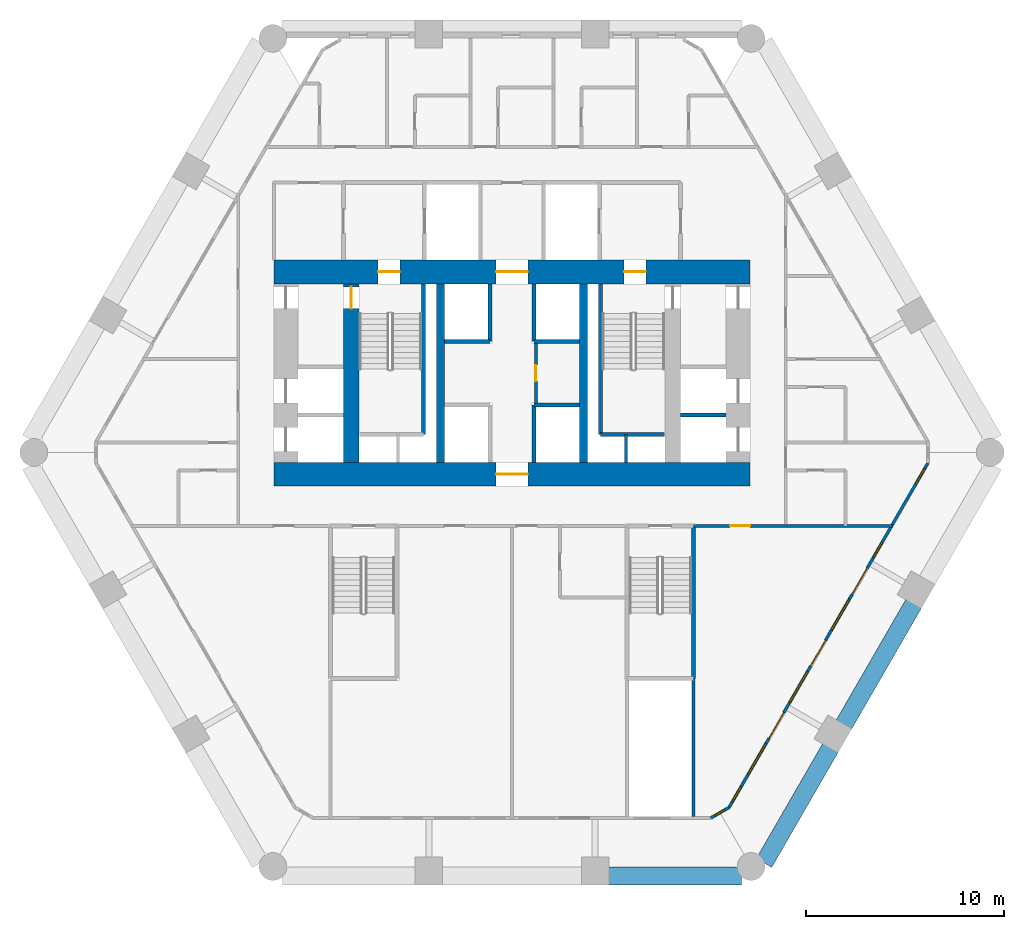
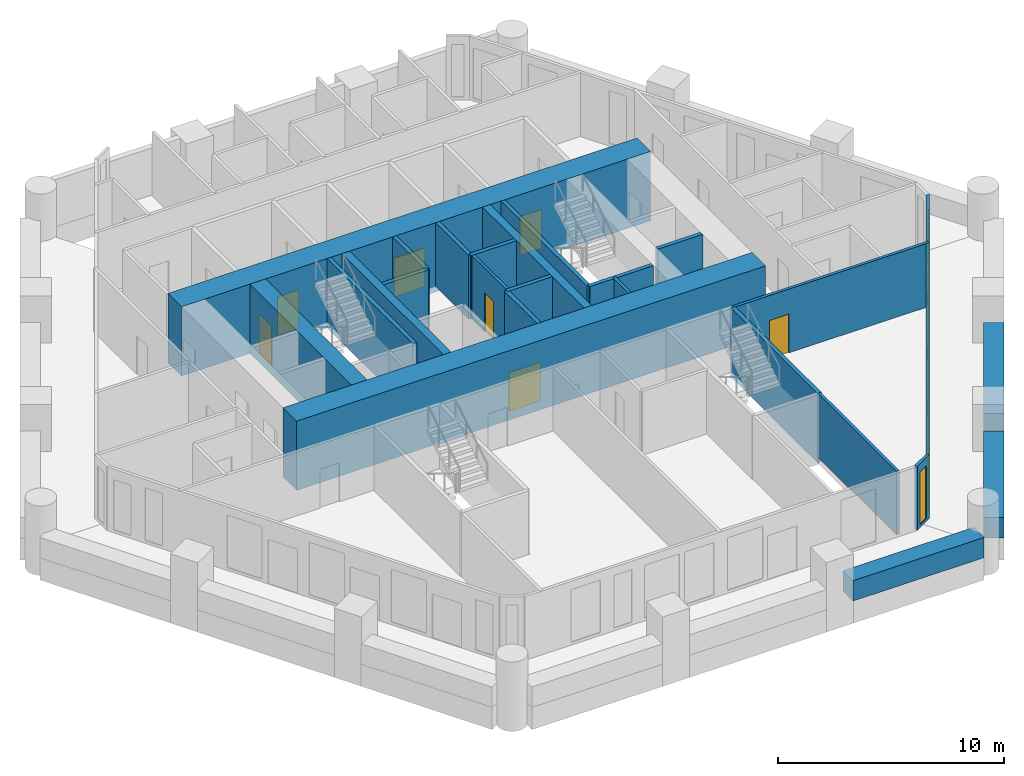
# One storey, part 4 of 8: 25 walls, 10 doors, 7 windows, 17 openings.
"""IFC4 building model written with IfcOpenShell, lengths in metres."""

from ifc_helpers import new_model, si_unit, direction, frame, frame_2d, origin, place, context, subcontext, project, spatial, rectangle, extrude, material, layer, layer_set, type_object, element, fill, save


model = new_model("IFC4")

# Units and contexts
model_context = context("Model", 3, precision=1e-05, world=origin(), true_north=direction((0.0, 1.0)))
body_context = subcontext(model_context, "Body", "Model", "MODEL_VIEW")
ifc_project = project(units=[si_unit("LENGTHUNIT", "METRE"), si_unit("AREAUNIT", "SQUARE_METRE"), si_unit("VOLUMEUNIT", "CUBIC_METRE"), si_unit("PLANEANGLEUNIT", "RADIAN"), si_unit("MASSUNIT", "GRAM", prefix="KILO")], contexts=[model_context])

# Site, building, storey
site_placement = place(None, origin())
site = spatial("IfcSite", under=ifc_project, at=site_placement, CompositionType="ELEMENT")
building_placement = place(site_placement, origin())
building = spatial("IfcBuilding", under=site, at=building_placement, Name="Ostrander Bayou Hotel Tower", CompositionType="ELEMENT")
storey_placement = place(building_placement, frame((0.0, 0.0, 31.75)))
storey = spatial("IfcBuildingStorey", under=building, at=storey_placement, Name="L07", CompositionType="ELEMENT", Elevation=31.75)

# Wall, opening, door
ifc_material_1 = material(Name="Concrete f'c 70 MPa", Category="concrete")
ifc_layer_1 = layer(ifc_material_1, 1.199951171875)
ifc_layer_set_1 = layer_set([ifc_layer_1], Name="CW1 core wall 1200 mm f'c 70 MPa")
wall_type_1 = type_object("IfcWallType", Name="CW1 core wall 1200 mm f'c 70 MPa", PredefinedType="SHEAR", material=ifc_layer_set_1)
wall_1_placement = place(storey_placement, frame((-12.0, -1.10009765625, -0.300048828125), z_axis=(0.0, 0.0, 1.0), x_axis=(1.0, 0.0, 0.0)))
wall_1 = element("IfcWall", 1, at=wall_1_placement, inside=storey, type_object=wall_type_1, Name="CW1 L07 S", PredefinedType="SHEAR", context=body_context, shape_type="SweptSolid", body=[
    extrude(rectangle(XDim=24.0, YDim=1.199951171875, at=frame_2d((12.0, 0.0))), origin(), (0.0, 0.0, 1.0), 3.75),
])
opening_1_placement = place(wall_1_placement, frame((11.199951171875, 0.0, 0.0)))
opening_1 = element("IfcOpeningElement", 2, at=opening_1_placement, cuts=wall_1, Name="Opening T06-001", PredefinedType="OPENING", context=body_context, shape_type="SweptSolid", body=[
    extrude(rectangle(XDim=1.60009765625, YDim=2.10009765625, at=frame_2d((0.800048828125, 1.050048828125))), frame((0.0, 0.60009765625, 0.0), z_axis=(0.0, -1.0, 0.0), x_axis=(1.0, 0.0, 0.0)), (0.0, 0.0, 1.0), 1.199951171875),
])
ifc_material_2 = material(Name="Timber door leaf", Category="wood")
door_type_1 = type_object("IfcDoorType", Name="D13 double door 1600 x 2100 mm, 1 hour", OperationType="SINGLE_SWING_LEFT", PredefinedType="DOOR", material=ifc_material_2)
door_1_placement = place(opening_1_placement, origin())
door_1 = element("IfcDoor", 3, at=door_1_placement, inside=storey, type_object=door_type_1, Name="dr:L07:001", OperationType="DOUBLE_DOOR_SINGLE_SWING", OverallHeight=2.10009765625, OverallWidth=1.60009765625, PredefinedType="DOOR", context=body_context, shape_type="SweptSolid", body=[
    extrude(rectangle(XDim=1.60009765625, YDim=2.10009765625, at=frame_2d((0.800048828125, 1.050048828125))), frame((0.0, 0.02490234375, 0.0), z_axis=(0.0, -1.0, 0.0), x_axis=(1.0, 0.0, 0.0)), (0.0, 0.0, 1.0), 0.050048828125),
])
fill(opening_1, door_1)

# Wall, openings, doors
wall_2_placement = place(storey_placement, frame((-12.0, 9.10009765625, -0.300048828125), z_axis=(0.0, 0.0, 1.0), x_axis=(1.0, 0.0, 0.0)))
wall_2 = element("IfcWall", 4, at=wall_2_placement, inside=storey, type_object=wall_type_1, Name="CW1 L07 N", PredefinedType="SHEAR", context=body_context, shape_type="SweptSolid", body=[
    extrude(rectangle(XDim=24.0, YDim=1.199951171875, at=frame_2d((12.0, 0.0))), origin(), (0.0, 0.0, 1.0), 3.75),
])
opening_2_placement = place(wall_2_placement, frame((11.199951171875, 0.0, 0.0)))
opening_2 = element("IfcOpeningElement", 5, at=opening_2_placement, cuts=wall_2, Name="Opening T06-002", PredefinedType="OPENING", context=body_context, shape_type="SweptSolid", body=[
    extrude(rectangle(XDim=1.60009765625, YDim=2.10009765625, at=frame_2d((0.800048828125, 1.050048828125))), frame((0.0, 0.60009765625, 0.0), z_axis=(0.0, -1.0, 0.0), x_axis=(1.0, 0.0, 0.0)), (0.0, 0.0, 1.0), 1.199951171875),
])
opening_3_placement = place(wall_2_placement, frame((5.25, 0.0, 0.0)))
opening_3 = element("IfcOpeningElement", 6, at=opening_3_placement, cuts=wall_2, Name="Opening T06-003", PredefinedType="OPENING", context=body_context, shape_type="SweptSolid", body=[
    extrude(rectangle(XDim=1.10009765625, YDim=2.10009765625, at=frame_2d((0.550048828125, 1.050048828125))), frame((0.0, 0.60009765625, 0.0), z_axis=(0.0, -1.0, 0.0), x_axis=(1.0, 0.0, 0.0)), (0.0, 0.0, 1.0), 1.199951171875),
])
opening_4_placement = place(wall_2_placement, frame((17.64990234375, 0.0, 0.0)))
opening_4 = element("IfcOpeningElement", 7, at=opening_4_placement, cuts=wall_2, Name="Opening T06-005", PredefinedType="OPENING", context=body_context, shape_type="SweptSolid", body=[
    extrude(rectangle(XDim=1.10009765625, YDim=2.10009765625, at=frame_2d((0.550048828125, 1.050048828125))), frame((0.0, 0.60009765625, 0.0), z_axis=(0.0, -1.0, 0.0), x_axis=(1.0, 0.0, 0.0)), (0.0, 0.0, 1.0), 1.199951171875),
])
door_2_placement = place(opening_2_placement, origin())
door_2 = element("IfcDoor", 8, at=door_2_placement, inside=storey, type_object=door_type_1, Name="dr:L07:002", OperationType="DOUBLE_DOOR_SINGLE_SWING", OverallHeight=2.10009765625, OverallWidth=1.60009765625, PredefinedType="DOOR", context=body_context, shape_type="SweptSolid", body=[
    extrude(rectangle(XDim=1.60009765625, YDim=2.10009765625, at=frame_2d((0.800048828125, 1.050048828125))), frame((0.0, 0.02490234375, 0.0), z_axis=(0.0, -1.0, 0.0), x_axis=(1.0, 0.0, 0.0)), (0.0, 0.0, 1.0), 0.050048828125),
])
fill(opening_2, door_2)
ifc_material_3 = material(Name="Timber door leaf", Category="wood")
door_type_2 = type_object("IfcDoorType", Name="D5 stair door 1100 x 2100 mm, 90 minute", OperationType="SINGLE_SWING_LEFT", PredefinedType="DOOR", material=ifc_material_3)
door_3_placement = place(opening_3_placement, origin())
door_3 = element("IfcDoor", 9, at=door_3_placement, inside=storey, type_object=door_type_2, Name="dr:L07:003", OperationType="SINGLE_SWING_LEFT", OverallHeight=2.10009765625, OverallWidth=1.10009765625, PredefinedType="DOOR", context=body_context, shape_type="SweptSolid", body=[
    extrude(rectangle(XDim=1.10009765625, YDim=2.10009765625, at=frame_2d((0.550048828125, 1.050048828125))), frame((0.0, 0.02490234375, 0.0), z_axis=(0.0, -1.0, 0.0), x_axis=(1.0, 0.0, 0.0)), (0.0, 0.0, 1.0), 0.050048828125),
])
fill(opening_3, door_3)
door_4_placement = place(opening_4_placement, origin())
door_4 = element("IfcDoor", 10, at=door_4_placement, inside=storey, type_object=door_type_2, Name="dr:L07:005", OperationType="SINGLE_SWING_RIGHT", OverallHeight=2.10009765625, OverallWidth=1.10009765625, PredefinedType="DOOR", context=body_context, shape_type="SweptSolid", body=[
    extrude(rectangle(XDim=1.10009765625, YDim=2.10009765625, at=frame_2d((0.550048828125, 1.050048828125))), frame((0.0, 0.02490234375, 0.0), z_axis=(0.0, -1.0, 0.0), x_axis=(1.0, 0.0, 0.0)), (0.0, 0.0, 1.0), 0.050048828125),
])
fill(opening_4, door_4)

# Wall, opening, door
ifc_material_4 = material(Name="Concrete f'c 70 MPa", Category="concrete")
ifc_layer_2 = layer(ifc_material_4, 0.800048828125)
ifc_layer_set_2 = layer_set([ifc_layer_2], Name="CW2 core spine wall 800 mm f'c 70 MPa")
wall_type_2 = type_object("IfcWallType", Name="CW2 core spine wall 800 mm f'c 70 MPa", PredefinedType="SHEAR", material=ifc_layer_set_2)
wall_3_placement = place(storey_placement, frame((-8.10009765625, -0.5, -0.300048828125), z_axis=(0.0, 0.0, 1.0), x_axis=(0.0, 1.0, 0.0)))
wall_3 = element("IfcWall", 11, at=wall_3_placement, inside=storey, type_object=wall_type_2, Name="CW2 L07 W", PredefinedType="SHEAR", context=body_context, shape_type="SweptSolid", body=[
    extrude(rectangle(XDim=9.0, YDim=0.800048828125, at=frame_2d((4.5, 0.0))), origin(), (0.0, 0.0, 1.0), 3.75),
])
opening_5_placement = place(wall_3_placement, frame((7.75, 0.0, 0.0)))
opening_5 = element("IfcOpeningElement", 12, at=opening_5_placement, cuts=wall_3, Name="Opening T06-004", PredefinedType="OPENING", context=body_context, shape_type="SweptSolid", body=[
    extrude(rectangle(XDim=1.10009765625, YDim=2.10009765625, at=frame_2d((0.550048828125, 1.050048828125))), frame((0.0, 0.39990234375, 0.0), z_axis=(0.0, -1.0, 0.0), x_axis=(1.0, 0.0, 0.0)), (0.0, 0.0, 1.0), 0.800048828125),
])
door_5_placement = place(opening_5_placement, origin())
door_5 = element("IfcDoor", 13, at=door_5_placement, inside=storey, type_object=door_type_2, Name="dr:L07:004", OperationType="SINGLE_SWING_RIGHT", OverallHeight=2.10009765625, OverallWidth=1.10009765625, PredefinedType="DOOR", context=body_context, shape_type="SweptSolid", body=[
    extrude(rectangle(XDim=1.10009765625, YDim=2.10009765625, at=frame_2d((0.550048828125, 1.050048828125))), frame((0.0, 0.02490234375, 0.0), z_axis=(0.0, -1.0, 0.0), x_axis=(1.0, 0.0, 0.0)), (0.0, 0.0, 1.0), 0.050048828125),
])
fill(opening_5, door_5)

# Walls
ifc_material_5 = material(Name="Concrete f'c 70 MPa", Category="concrete")
ifc_layer_3 = layer(ifc_material_5, 0.39990234375)
ifc_layer_set_3 = layer_set([ifc_layer_3], Name="CW3 core bank wall 400 mm f'c 70 MPa")
wall_type_3 = type_object("IfcWallType", Name="CW3 core bank wall 400 mm f'c 70 MPa", PredefinedType="SHEAR", material=ifc_layer_set_3)
for number, where, z_axis, x_axis, name in (
    (14, (-3.60009765625, -0.5, -0.300048828125), (0.0, 0.0, 1.0), (0.0, 1.0, 0.0), "CW3 L07 CW"),
    (15, (3.60009765625, -0.5, -0.300048828125), (0.0, 0.0, 1.0), (0.0, 1.0, 0.0), "CW3 L07 CE"),
):
    element("IfcWall", number, at=place(storey_placement, frame(where, z_axis=z_axis, x_axis=x_axis)), inside=storey, type_object=wall_type_3, Name=name, PredefinedType="SHEAR", context=body_context, shape_type="SweptSolid", body=[
        extrude(rectangle(XDim=9.0, YDim=0.39990234375, at=frame_2d((4.5, 0.0))), origin(), (0.0, 0.0, 1.0), 3.75),
    ])

# Wall, openings, doors, windows
ifc_material_6 = material(Name="Aluminium framed insulated wall", Category="aluminium")
ifc_layer_4 = layer(ifc_material_6, 0.14990234375)
ifc_layer_set_4 = layer_set([ifc_layer_4], Name="GW1 glass-line wall 150 mm")
wall_type_4 = type_object("IfcWallType", Name="GW1 glass-line wall 150 mm", PredefinedType="SOLIDWALL", material=ifc_layer_set_4)
wall_4_placement = place(storey_placement, frame((10.945068359375, -17.892578125, 0.0), z_axis=(0.0, 0.0, 1.0), x_axis=(0.500003237297, 0.866023534722, 0.0)))
wall_4 = element("IfcWall", 16, at=wall_4_placement, inside=storey, type_object=wall_type_4, Name="GW1 L07 SE 1", PredefinedType="SOLIDWALL", context=body_context, shape_type="SweptSolid", body=[
    extrude(rectangle(XDim=20.045654296875, YDim=0.14990234375, at=frame_2d((10.02294921875, 0.0))), origin(), (0.0, 0.0, 1.0), 3.449951171875),
])
opening_6_placement = place(wall_4_placement, frame((1.9228515625, 0.0, 0.14990234375)))
opening_6 = element("IfcOpeningElement", 17, at=opening_6_placement, cuts=wall_4, Name="Opening W1", PredefinedType="OPENING", context=body_context, shape_type="SweptSolid", body=[
    extrude(rectangle(XDim=1.800048828125, YDim=2.85009765625, at=frame_2d((0.89990234375, 1.425048828125))), frame((0.0, 0.074951171875, 0.0), z_axis=(0.0, -1.0, 0.0), x_axis=(1.0, 0.0, 0.0)), (0.0, 0.0, 1.0), 0.14990234375),
])
opening_7_placement = place(wall_4_placement, frame((4.022705078125, 0.0, 0.0)))
opening_7 = element("IfcOpeningElement", 18, at=opening_7_placement, cuts=wall_4, Name="Opening T06-805", PredefinedType="OPENING", context=body_context, shape_type="SweptSolid", body=[
    extrude(rectangle(XDim=1.5, YDim=2.39990234375, at=frame_2d((0.75, 1.199951171875))), frame((0.0, 0.074951171875, 0.0), z_axis=(0.0, -1.0, 0.0), x_axis=(1.0, 0.0, 0.0)), (0.0, 0.0, 1.0), 0.14990234375),
])
opening_8_placement = place(wall_4_placement, frame((6.122802734375, 0.0, 0.14990234375)))
opening_8 = element("IfcOpeningElement", 19, at=opening_8_placement, cuts=wall_4, Name="Opening W1", PredefinedType="OPENING", context=body_context, shape_type="SweptSolid", body=[
    extrude(rectangle(XDim=1.800048828125, YDim=2.85009765625, at=frame_2d((0.89990234375, 1.425048828125))), frame((0.0, 0.074951171875, 0.0), z_axis=(0.0, -1.0, 0.0), x_axis=(1.0, 0.0, 0.0)), (0.0, 0.0, 1.0), 0.14990234375),
])
opening_9_placement = place(wall_4_placement, frame((8.222900390625, 0.0, 0.0)))
opening_9 = element("IfcOpeningElement", 20, at=opening_9_placement, cuts=wall_4, Name="Opening T06-806", PredefinedType="OPENING", context=body_context, shape_type="SweptSolid", body=[
    extrude(rectangle(XDim=1.5, YDim=2.39990234375, at=frame_2d((0.75, 1.199951171875))), frame((0.0, 0.074951171875, 0.0), z_axis=(0.0, -1.0, 0.0), x_axis=(1.0, 0.0, 0.0)), (0.0, 0.0, 1.0), 0.14990234375),
])
opening_10_placement = place(wall_4_placement, frame((10.32275390625, 0.0, 0.14990234375)))
opening_10 = element("IfcOpeningElement", 21, at=opening_10_placement, cuts=wall_4, Name="Opening W1", PredefinedType="OPENING", context=body_context, shape_type="SweptSolid", body=[
    extrude(rectangle(XDim=1.800048828125, YDim=2.85009765625, at=frame_2d((0.89990234375, 1.425048828125))), frame((0.0, 0.074951171875, 0.0), z_axis=(0.0, -1.0, 0.0), x_axis=(1.0, 0.0, 0.0)), (0.0, 0.0, 1.0), 0.14990234375),
])
opening_11_placement = place(wall_4_placement, frame((12.4228515625, 0.0, 0.0)))
opening_11 = element("IfcOpeningElement", 22, at=opening_11_placement, cuts=wall_4, Name="Opening T06-807", PredefinedType="OPENING", context=body_context, shape_type="SweptSolid", body=[
    extrude(rectangle(XDim=1.5, YDim=2.39990234375, at=frame_2d((0.75, 1.199951171875))), frame((0.0, 0.074951171875, 0.0), z_axis=(0.0, -1.0, 0.0), x_axis=(1.0, 0.0, 0.0)), (0.0, 0.0, 1.0), 0.14990234375),
])
opening_12_placement = place(wall_4_placement, frame((14.522705078125, 0.0, 0.14990234375)))
opening_12 = element("IfcOpeningElement", 23, at=opening_12_placement, cuts=wall_4, Name="Opening W15", PredefinedType="OPENING", context=body_context, shape_type="SweptSolid", body=[
    extrude(rectangle(XDim=0.89990234375, YDim=2.85009765625, at=frame_2d((0.449951171875, 1.425048828125))), frame((0.0, 0.074951171875, 0.0), z_axis=(0.0, -1.0, 0.0), x_axis=(1.0, 0.0, 0.0)), (0.0, 0.0, 1.0), 0.14990234375),
])
opening_13_placement = place(wall_4_placement, frame((0.311279296875, 0.0, 0.14990234375)))
opening_13 = element("IfcOpeningElement", 24, at=opening_13_placement, cuts=wall_4, Name="Opening W15", PredefinedType="OPENING", context=body_context, shape_type="SweptSolid", body=[
    extrude(rectangle(XDim=0.89990234375, YDim=2.72998046875, at=frame_2d((0.449951171875, 1.364990234375))), frame((0.0, 0.074951171875, 0.0), z_axis=(0.0, -1.0, 0.0), x_axis=(1.0, 0.0, 0.0)), (0.0, 0.0, 1.0), 0.14990234375),
])
opening_14_placement = place(wall_4_placement, frame((18.834228515625, 0.0, 0.14990234375)))
opening_14 = element("IfcOpeningElement", 25, at=opening_14_placement, cuts=wall_4, Name="Opening W15", PredefinedType="OPENING", context=body_context, shape_type="SweptSolid", body=[
    extrude(rectangle(XDim=0.89990234375, YDim=2.72998046875, at=frame_2d((0.449951171875, 1.364990234375))), frame((0.0, 0.074951171875, 0.0), z_axis=(0.0, -1.0, 0.0), x_axis=(1.0, 0.0, 0.0)), (0.0, 0.0, 1.0), 0.14990234375),
])
ifc_material_7 = material(Name="Aluminium and clear glass", Category="aluminium")
door_type_3 = type_object("IfcDoorType", Name="SD1 sliding glass door 1500 mm, zone 1", OperationType="SLIDING_TO_LEFT", PredefinedType="DOOR", material=ifc_material_7)
door_6_placement = place(opening_7_placement, origin())
door_6 = element("IfcDoor", 26, at=door_6_placement, inside=storey, type_object=door_type_3, Name="SD1 L07 SE 1", OperationType="SLIDING_TO_LEFT", OverallHeight=2.39990234375, OverallWidth=1.5, PredefinedType="DOOR", context=body_context, shape_type="SweptSolid", body=[
    extrude(rectangle(XDim=1.5, YDim=2.39990234375, at=frame_2d((0.75, 1.199951171875))), frame((0.0, 0.02490234375, 0.0), z_axis=(0.0, -1.0, 0.0), x_axis=(1.0, 0.0, 0.0)), (0.0, 0.0, 1.0), 0.050048828125),
])
fill(opening_7, door_6)
door_7_placement = place(opening_9_placement, origin())
door_7 = element("IfcDoor", 27, at=door_7_placement, inside=storey, type_object=door_type_3, Name="SD1 L07 SE 2", OperationType="SLIDING_TO_RIGHT", OverallHeight=2.39990234375, OverallWidth=1.5, PredefinedType="DOOR", context=body_context, shape_type="SweptSolid", body=[
    extrude(rectangle(XDim=1.5, YDim=2.39990234375, at=frame_2d((0.75, 1.199951171875))), frame((0.0, 0.02490234375, 0.0), z_axis=(0.0, -1.0, 0.0), x_axis=(1.0, 0.0, 0.0)), (0.0, 0.0, 1.0), 0.050048828125),
])
fill(opening_9, door_7)
door_8_placement = place(opening_11_placement, origin())
door_8 = element("IfcDoor", 28, at=door_8_placement, inside=storey, type_object=door_type_3, Name="SD1 L07 SE 3", OperationType="SLIDING_TO_LEFT", OverallHeight=2.39990234375, OverallWidth=1.5, PredefinedType="DOOR", context=body_context, shape_type="SweptSolid", body=[
    extrude(rectangle(XDim=1.5, YDim=2.39990234375, at=frame_2d((0.75, 1.199951171875))), frame((0.0, 0.02490234375, 0.0), z_axis=(0.0, -1.0, 0.0), x_axis=(1.0, 0.0, 0.0)), (0.0, 0.0, 1.0), 0.050048828125),
])
fill(opening_11, door_8)
ifc_material_8 = material(Name="Aluminium and clear glass", Category="aluminium")
window_type_1 = type_object("IfcWindowType", Name="W1 fixed window 1800 mm, zone 1", PartitioningType="SINGLE_PANEL", PredefinedType="WINDOW", material=ifc_material_8)
window_1_placement = place(opening_6_placement, origin())
window_1 = element("IfcWindow", 29, at=window_1_placement, inside=storey, type_object=window_type_1, Name="W1 L07 SE 1", OverallHeight=2.85009765625, OverallWidth=1.800048828125, PartitioningType="SINGLE_PANEL", PredefinedType="WINDOW", context=body_context, shape_type="SweptSolid", body=[
    extrude(rectangle(XDim=1.800048828125, YDim=2.85009765625, at=frame_2d((0.89990234375, 1.425048828125))), frame((0.0, 0.030029296875, 0.0), z_axis=(0.0, -1.0, 0.0), x_axis=(1.0, 0.0, 0.0)), (0.0, 0.0, 1.0), 0.06005859375),
])
fill(opening_6, window_1)
window_2_placement = place(opening_8_placement, origin())
window_2 = element("IfcWindow", 30, at=window_2_placement, inside=storey, type_object=window_type_1, Name="W1 L07 SE 2", OverallHeight=2.85009765625, OverallWidth=1.800048828125, PartitioningType="SINGLE_PANEL", PredefinedType="WINDOW", context=body_context, shape_type="SweptSolid", body=[
    extrude(rectangle(XDim=1.800048828125, YDim=2.85009765625, at=frame_2d((0.89990234375, 1.425048828125))), frame((0.0, 0.030029296875, 0.0), z_axis=(0.0, -1.0, 0.0), x_axis=(1.0, 0.0, 0.0)), (0.0, 0.0, 1.0), 0.06005859375),
])
fill(opening_8, window_2)
window_3_placement = place(opening_10_placement, origin())
window_3 = element("IfcWindow", 31, at=window_3_placement, inside=storey, type_object=window_type_1, Name="W1 L07 SE 3", OverallHeight=2.85009765625, OverallWidth=1.800048828125, PartitioningType="SINGLE_PANEL", PredefinedType="WINDOW", context=body_context, shape_type="SweptSolid", body=[
    extrude(rectangle(XDim=1.800048828125, YDim=2.85009765625, at=frame_2d((0.89990234375, 1.425048828125))), frame((0.0, 0.030029296875, 0.0), z_axis=(0.0, -1.0, 0.0), x_axis=(1.0, 0.0, 0.0)), (0.0, 0.0, 1.0), 0.06005859375),
])
fill(opening_10, window_3)
ifc_material_9 = material(Name="Aluminium and clear glass", Category="aluminium")
window_type_2 = type_object("IfcWindowType", Name="W15 window 900 mm, zone 1", PartitioningType="SINGLE_PANEL", PredefinedType="WINDOW", material=ifc_material_9)
window_4_placement = place(opening_12_placement, origin())
window_4 = element("IfcWindow", 32, at=window_4_placement, inside=storey, type_object=window_type_2, Name="W15 L07 SE 4", OverallHeight=2.85009765625, OverallWidth=0.89990234375, PartitioningType="SINGLE_PANEL", PredefinedType="WINDOW", context=body_context, shape_type="SweptSolid", body=[
    extrude(rectangle(XDim=0.89990234375, YDim=2.85009765625, at=frame_2d((0.449951171875, 1.425048828125))), frame((0.0, 0.030029296875, 0.0), z_axis=(0.0, -1.0, 0.0), x_axis=(1.0, 0.0, 0.0)), (0.0, 0.0, 1.0), 0.06005859375),
])
fill(opening_12, window_4)
window_5_placement = place(opening_13_placement, origin())
window_5 = element("IfcWindow", 33, at=window_5_placement, inside=storey, type_object=window_type_2, Name="W15 L07 SE E11", OverallHeight=2.72998046875, OverallWidth=0.89990234375, PartitioningType="SINGLE_PANEL", PredefinedType="WINDOW", context=body_context, shape_type="SweptSolid", body=[
    extrude(rectangle(XDim=0.89990234375, YDim=2.72998046875, at=frame_2d((0.449951171875, 1.364990234375))), frame((0.0, 0.030029296875, 0.0), z_axis=(0.0, -1.0, 0.0), x_axis=(1.0, 0.0, 0.0)), (0.0, 0.0, 1.0), 0.06005859375),
])
fill(opening_13, window_5)
window_6_placement = place(opening_14_placement, origin())
window_6 = element("IfcWindow", 34, at=window_6_placement, inside=storey, type_object=window_type_2, Name="W15 L07 SE E21", OverallHeight=2.72998046875, OverallWidth=0.89990234375, PartitioningType="SINGLE_PANEL", PredefinedType="WINDOW", context=body_context, shape_type="SweptSolid", body=[
    extrude(rectangle(XDim=0.89990234375, YDim=2.72998046875, at=frame_2d((0.449951171875, 1.364990234375))), frame((0.0, 0.030029296875, 0.0), z_axis=(0.0, -1.0, 0.0), x_axis=(1.0, 0.0, 0.0)), (0.0, 0.0, 1.0), 0.06005859375),
])
fill(opening_14, window_6)

# Wall, opening, window
wall_5_placement = place(storey_placement, frame((10.022705078125, -18.425048828125, 0.0), z_axis=(0.0, 0.0, 1.0), x_axis=(0.866048165231, 0.499960573946, 0.0)))
wall_5 = element("IfcWall", 35, at=wall_5_placement, inside=storey, type_object=wall_type_4, Name="GW1 L07 corner 4", PredefinedType="SOLIDWALL", context=body_context, shape_type="SweptSolid", body=[
    extrude(rectangle(XDim=1.06494140625, YDim=0.14990234375, at=frame_2d((0.532470703125, 0.0))), origin(), (0.0, 0.0, 1.0), 3.449951171875),
])
opening_15_placement = place(wall_5_placement, frame((0.257568359375, 0.0, 0.14990234375)))
opening_15 = element("IfcOpeningElement", 36, at=opening_15_placement, cuts=wall_5, Name="Opening W19", PredefinedType="OPENING", context=body_context, shape_type="SweptSolid", body=[
    extrude(rectangle(XDim=0.550048828125, YDim=2.85009765625, at=frame_2d((0.27490234375, 1.425048828125))), frame((0.0, 0.074951171875, 0.0), z_axis=(0.0, -1.0, 0.0), x_axis=(1.0, 0.0, 0.0)), (0.0, 0.0, 1.0), 0.14990234375),
])
ifc_material_10 = material(Name="Aluminium and clear glass", Category="aluminium")
window_type_3 = type_object("IfcWindowType", Name="W19 corner window 550 mm", PartitioningType="SINGLE_PANEL", PredefinedType="WINDOW", material=ifc_material_10)
window_7_placement = place(opening_15_placement, origin())
window_7 = element("IfcWindow", 37, at=window_7_placement, inside=storey, type_object=window_type_3, Name="W19 L07 corner 4", OverallHeight=2.85009765625, OverallWidth=0.550048828125, PartitioningType="SINGLE_PANEL", PredefinedType="WINDOW", context=body_context, shape_type="SweptSolid", body=[
    extrude(rectangle(XDim=0.550048828125, YDim=2.85009765625, at=frame_2d((0.27490234375, 1.425048828125))), frame((0.0, 0.030029296875, 0.0), z_axis=(0.0, -1.0, 0.0), x_axis=(1.0, 0.0, 0.0)), (0.0, 0.0, 1.0), 0.06005859375),
])
fill(opening_15, window_7)

# Walls
ifc_material_11 = material(Name="Concrete f'c 40 MPa", Category="concrete")
ifc_layer_5 = layer(ifc_material_11, 0.89990234375)
ifc_layer_set_5 = layer_set([ifc_layer_5], Name="PA1 stone-faced parapet 900 mm")
wall_type_5 = type_object("IfcWallType", Name="PA1 stone-faced parapet 900 mm", PredefinedType="PARAPET", material=ifc_layer_set_5)
wall_6_placement = place(storey_placement, frame((4.865478515625, -21.35009765625, 0.0), z_axis=(0.0, 0.0, 1.0), x_axis=(1.0, 0.0, 0.0)))
element("IfcWall", 38, at=wall_6_placement, inside=storey, type_object=wall_type_5, Name="PA1 L07 S-3", PredefinedType="PARAPET", context=body_context, shape_type="SweptSolid", body=[
    extrude(rectangle(XDim=6.70361328125, YDim=0.89990234375, at=frame_2d((3.351806640625, 0.0))), origin(), (0.0, 0.0, 1.0), 1.10009765625),
])
ifc_material_12 = material(Name="Limestone masonry", Category="masonry")
ifc_layer_6 = layer(ifc_material_12, 0.89990234375)
ifc_layer_set_6 = layer_set([ifc_layer_6], Name="PA2 limestone parapet 900 mm")
wall_type_6 = type_object("IfcWallType", Name="PA2 limestone parapet 900 mm", PredefinedType="PARAPET", material=ifc_layer_set_6)
wall_7_placement = place(storey_placement, frame((12.705078125, -20.694091796875, 0.0), z_axis=(0.0, 0.0, 1.0), x_axis=(0.500005133765, 0.866022439784, 0.0)))
element("IfcWall", 39, at=wall_7_placement, inside=storey, type_object=wall_type_6, Name="PA2 L07 SE-1", PredefinedType="PARAPET", context=body_context, shape_type="SweptSolid", body=[
    extrude(rectangle(XDim=6.70361328125, YDim=0.89990234375, at=frame_2d((3.351806640625, 0.0))), origin(), (0.0, 0.0, 1.0), 1.10009765625),
])
wall_8_placement = place(storey_placement, frame((16.726806640625, -13.72802734375, 0.0), z_axis=(0.0, 0.0, 1.0), x_axis=(0.499997206141, 0.866027016814, 0.0)))
element("IfcWall", 40, at=wall_8_placement, inside=storey, type_object=wall_type_6, Name="PA2 L07 SE-2", PredefinedType="PARAPET", context=body_context, shape_type="SweptSolid", body=[
    extrude(rectangle(XDim=7.05078125, YDim=0.89990234375, at=frame_2d((3.525390625, 0.0))), origin(), (0.0, 0.0, 1.0), 1.10009765625),
])
ifc_material_13 = material(Name="Masonry block", Category="masonry")
ifc_layer_7 = layer(ifc_material_13, 0.199951171875)
ifc_layer_set_7 = layer_set([ifc_layer_7], Name="PT6 lift shaft wall 200 mm masonry, 2 hour")
wall_type_7 = type_object("IfcWallType", Name="PT6 lift shaft wall 200 mm masonry, 2 hour", PredefinedType="PARTITIONING", material=ifc_layer_set_7)
for number, where, z_axis, x_axis, name in (
    (41, (-3.39990234375, 5.60009765625, 0.0), (0.0, 0.0, 1.0), (1.0, 0.0, 0.0), "cs:L07:002"),
    (42, (1.10009765625, 2.39990234375, 0.0), (0.0, 0.0, 1.0), (1.0, 0.0, 0.0), "cs:L07:003"),
    (43, (1.10009765625, 5.60009765625, 0.0), (0.0, 0.0, 1.0), (1.0, 0.0, 0.0), "cs:L07:004"),
):
    element("IfcWall", number, at=place(storey_placement, frame(where, z_axis=z_axis, x_axis=x_axis)), inside=storey, type_object=wall_type_7, Name=name, PredefinedType="PARTITIONING", context=body_context, shape_type="SweptSolid", body=[
        extrude(rectangle(XDim=2.2998046875, YDim=0.199951171875, at=frame_2d((1.14990234375, 0.0))), origin(), (0.0, 0.0, 1.0), 3.449951171875),
    ])
for number, where, z_axis, x_axis, name in (
    (44, (1.10009765625, -0.5, 0.0), (0.0, 0.0, 1.0), (0.0, 1.0, 0.0), "cs:L07:006"),
    (45, (-1.10009765625, 5.60009765625, 0.0), (0.0, 0.0, 1.0), (0.0, 1.0, 0.0), "cs:L07:007"),
    (46, (1.10009765625, 5.60009765625, 0.0), (0.0, 0.0, 1.0), (0.0, 1.0, 0.0), "cs:L07:008"),
):
    element("IfcWall", number, at=place(storey_placement, frame(where, z_axis=z_axis, x_axis=x_axis)), inside=storey, type_object=wall_type_7, Name=name, PredefinedType="PARTITIONING", context=body_context, shape_type="SweptSolid", body=[
        extrude(rectangle(XDim=2.89990234375, YDim=0.199951171875, at=frame_2d((1.449951171875, 0.0))), origin(), (0.0, 0.0, 1.0), 3.449951171875),
    ])
wall_9_placement = place(storey_placement, frame((8.5, 1.89990234375, 0.0), z_axis=(0.0, 0.0, 1.0), x_axis=(1.0, 0.0, 0.0)))
element("IfcWall", 47, at=wall_9_placement, inside=storey, type_object=wall_type_7, Name="cs:L07:035", PredefinedType="PARTITIONING", context=body_context, shape_type="SweptSolid", body=[
    extrude(rectangle(XDim=2.300048828125, YDim=0.199951171875, at=frame_2d((1.14990234375, 0.0))), origin(), (0.0, 0.0, 1.0), 3.449951171875),
])
ifc_material_14 = material(Name="Gypsum board partition", Category="finish")
ifc_layer_8 = layer(ifc_material_14, 0.14990234375)
ifc_layer_set_8 = layer_set([ifc_layer_8], Name="PT7 riser wall 150 mm, 2 hour")
wall_type_8 = type_object("IfcWallType", Name="PT7 riser wall 150 mm, 2 hour", PredefinedType="PARTITIONING", material=ifc_layer_set_8)
wall_10_placement = place(storey_placement, frame((5.75, -0.5, 0.0), z_axis=(0.0, 0.0, 1.0), x_axis=(0.0, 1.0, 0.0)))
element("IfcWall", 48, at=wall_10_placement, inside=storey, type_object=wall_type_8, Name="cs:L07:014", PredefinedType="PARTITIONING", context=body_context, shape_type="SweptSolid", body=[
    extrude(rectangle(XDim=1.39990234375, YDim=0.14990234375, at=frame_2d((0.699951171875, 0.0))), origin(), (0.0, 0.0, 1.0), 3.449951171875),
])
wall_11_placement = place(storey_placement, frame((9.14990234375, -11.39990234375, 0.0), z_axis=(0.0, 0.0, 1.0), x_axis=(0.0, -1.0, 0.0)))
element("IfcWall", 49, at=wall_11_placement, inside=storey, type_object=wall_type_8, Name="cs:L07:020", PredefinedType="PARTITIONING", context=body_context, shape_type="SweptSolid", body=[
    extrude(rectangle(XDim=6.9501953125, YDim=0.14990234375, at=frame_2d((3.47509765625, 0.0))), origin(), (0.0, 0.0, 1.0), 3.449951171875),
])

# Wall, opening, door
wall_12_placement = place(storey_placement, frame((1.199951171875, 2.5, 0.0), z_axis=(0.0, 0.0, 1.0), x_axis=(0.0, 1.0, 0.0)))
wall_12 = element("IfcWall", 50, at=wall_12_placement, inside=storey, type_object=wall_type_8, Name="cs:L07:032", PredefinedType="PARTITIONING", context=body_context, shape_type="SweptSolid", body=[
    extrude(rectangle(XDim=3.0, YDim=0.14990234375, at=frame_2d((1.5, 0.0))), origin(), (0.0, 0.0, 1.0), 3.449951171875),
])
opening_16_placement = place(wall_12_placement, frame((1.10009765625, 0.0, 0.0)))
opening_16 = element("IfcOpeningElement", 51, at=opening_16_placement, cuts=wall_12, Name="Opening T06-014", PredefinedType="OPENING", context=body_context, shape_type="SweptSolid", body=[
    extrude(rectangle(XDim=0.800048828125, YDim=2.10009765625, at=frame_2d((0.39990234375, 1.050048828125))), frame((0.0, 0.074951171875, 0.0), z_axis=(0.0, -1.0, 0.0), x_axis=(1.0, 0.0, 0.0)), (0.0, 0.0, 1.0), 0.14990234375),
])
ifc_material_15 = material(Name="Timber door leaf", Category="wood")
door_type_4 = type_object("IfcDoorType", Name="D6 riser door 800 x 2100 mm, 90 minute", OperationType="SINGLE_SWING_LEFT", PredefinedType="DOOR", material=ifc_material_15)
door_9_placement = place(opening_16_placement, origin())
door_9 = element("IfcDoor", 52, at=door_9_placement, inside=storey, type_object=door_type_4, Name="dr:L07:014", OperationType="SINGLE_SWING_RIGHT", OverallHeight=2.10009765625, OverallWidth=0.800048828125, PredefinedType="DOOR", context=body_context, shape_type="SweptSolid", body=[
    extrude(rectangle(XDim=0.800048828125, YDim=2.10009765625, at=frame_2d((0.39990234375, 1.050048828125))), frame((0.0, 0.02490234375, 0.0), z_axis=(0.0, -1.0, 0.0), x_axis=(1.0, 0.0, 0.0)), (0.0, 0.0, 1.0), 0.050048828125),
])
fill(opening_16, door_9)

ifc_material_16 = material(Name="Gypsum board partition", Category="finish")
ifc_layer_9 = layer(ifc_material_16, 0.14990234375)
ifc_layer_set_9 = layer_set([ifc_layer_9], Name="PT8 service band wall 150 mm, 1 hour")
wall_type_9 = type_object("IfcWallType", Name="PT8 service band wall 150 mm, 1 hour", PredefinedType="PARTITIONING", material=ifc_layer_set_9)
wall_13_placement = place(storey_placement, frame((9.159912109375, -3.699951171875, 0.0), z_axis=(0.0, 0.0, 1.0), x_axis=(1.0, 0.0, 0.0)))
wall_13 = element("IfcWall", 53, at=wall_13_placement, inside=storey, type_object=wall_type_9, Name="gw:L07:004", PredefinedType="PARTITIONING", context=body_context, shape_type="SweptSolid", body=[
    extrude(rectangle(XDim=10.031005859375, YDim=0.14990234375, at=frame_2d((5.015625, 0.0))), origin(), (0.0, 0.0, 1.0), 3.449951171875),
])
opening_17_placement = place(wall_13_placement, frame((1.840087890625, 0.0, 0.0)))
opening_17 = element("IfcOpeningElement", 54, at=opening_17_placement, cuts=wall_13, Name="Opening T06-404", PredefinedType="OPENING", context=body_context, shape_type="SweptSolid", body=[
    extrude(rectangle(XDim=1.0, YDim=2.10009765625, at=frame_2d((0.5, 1.050048828125))), frame((0.0, 0.074951171875, 0.0), z_axis=(0.0, -1.0, 0.0), x_axis=(1.0, 0.0, 0.0)), (0.0, 0.0, 1.0), 0.14990234375),
])
ifc_material_17 = material(Name="Timber door leaf", Category="wood")
door_type_5 = type_object("IfcDoorType", Name="D15 room door 1000 x 2100 mm", OperationType="SINGLE_SWING_LEFT", PredefinedType="DOOR", material=ifc_material_17)
door_10_placement = place(opening_17_placement, origin())
door_10 = element("IfcDoor", 55, at=door_10_placement, inside=storey, type_object=door_type_5, Name="dr:L07:404", OperationType="SINGLE_SWING_LEFT", OverallHeight=2.10009765625, OverallWidth=1.0, PredefinedType="DOOR", context=body_context, shape_type="SweptSolid", body=[
    extrude(rectangle(XDim=1.0, YDim=2.10009765625, at=frame_2d((0.5, 1.050048828125))), frame((0.0, 0.02490234375, 0.0), z_axis=(0.0, -1.0, 0.0), x_axis=(1.0, 0.0, 0.0)), (0.0, 0.0, 1.0), 0.050048828125),
])
fill(opening_17, door_10)

# Walls
ifc_material_18 = material(Name="Concrete f'c 45 MPa", Category="concrete")
ifc_layer_10 = layer(ifc_material_18, 0.199951171875)
ifc_layer_set_10 = layer_set([ifc_layer_10], Name="SW5 stair enclosure wall 200 mm f'c 45 MPa")
wall_type_10 = type_object("IfcWallType", Name="SW5 stair enclosure wall 200 mm f'c 45 MPa", PredefinedType="SOLIDWALL", material=ifc_layer_set_10)
for number, where, z_axis, x_axis, name in (
    (56, (-4.449951171875, 0.89990234375, -0.300048828125), (0.0, 0.0, 1.0), (0.0, 1.0, 0.0), "cs:L07:009"),
    (57, (4.449951171875, 0.89990234375, -0.300048828125), (0.0, 0.0, 1.0), (0.0, 1.0, 0.0), "cs:L07:012"),
):
    element("IfcWall", number, at=place(storey_placement, frame(where, z_axis=z_axis, x_axis=x_axis)), inside=storey, type_object=wall_type_10, Name=name, PredefinedType="SOLIDWALL", context=body_context, shape_type="SweptSolid", body=[
        extrude(rectangle(XDim=7.60009765625, YDim=0.199951171875, at=frame_2d((3.800048828125, 0.0))), origin(), (0.0, 0.0, 1.0), 3.75),
    ])
wall_14_placement = place(storey_placement, frame((4.449951171875, 0.89990234375, -0.300048828125), z_axis=(0.0, 0.0, 1.0), x_axis=(1.0, 0.0, 0.0)))
element("IfcWall", 58, at=wall_14_placement, inside=storey, type_object=wall_type_10, Name="cs:L07:013", PredefinedType="SOLIDWALL", context=body_context, shape_type="SweptSolid", body=[
    extrude(rectangle(XDim=3.25, YDim=0.199951171875, at=frame_2d((1.625, 0.0))), origin(), (0.0, 0.0, 1.0), 3.75),
])
wall_15_placement = place(storey_placement, frame((9.14990234375, -3.699951171875, -0.300048828125), z_axis=(0.0, 0.0, 1.0), x_axis=(0.0, -1.0, 0.0)))
element("IfcWall", 59, at=wall_15_placement, inside=storey, type_object=wall_type_10, Name="cs:L07:017", PredefinedType="SOLIDWALL", context=body_context, shape_type="SweptSolid", body=[
    extrude(rectangle(XDim=7.699951171875, YDim=0.199951171875, at=frame_2d((3.85009765625, 0.0))), origin(), (0.0, 0.0, 1.0), 3.75),
])

save(model, "model.ifc")
